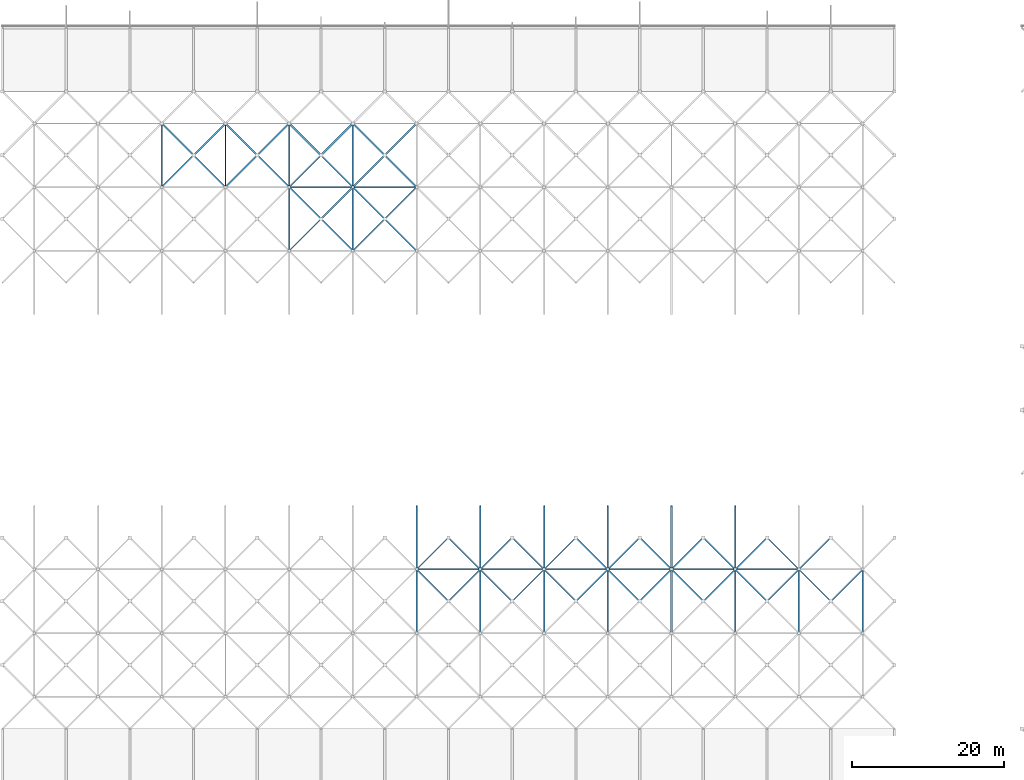
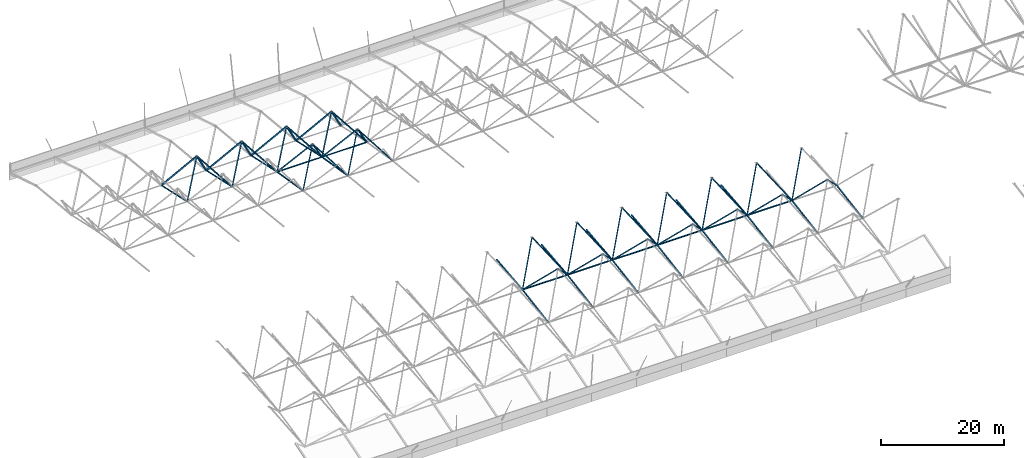
# One storey, part 20 of 85: 79 members.
"""IFC4 building model written with IfcOpenShell, lengths in metres."""

import ifcopenshell
import ifcopenshell.guid

model = None  # the IFC model being written
_history = None  # IfcOwnerHistory: only IFC2X3 demands one
_inside = {}  # id of a spatial element -> (the spatial element, [elements in it])
_under = {}  # id of a project, library or spatial element -> (it, [spatial elements below it])
_declared = {}  # id of a project -> (the project, [libraries it declares])
_typed = {}  # id of a type object -> (the type object, [elements of that type])
_made_of = {}  # id of a material, layer set ... -> (it, [elements and type objects made of it])


def new_model(schema):
    """Start an empty IFC model of exactly this schema.

    Asked for "IFC4X3", IfcOpenShell would pick the latest addendum, in which some entities
    have other attributes; the version numbers below select the first issue.
    IFC2X3 requires an IfcOwnerHistory on every rooted entity: one is made here for all.
    """
    global model, _history
    if schema == "IFC4X3":
        model = ifcopenshell.file(schema_version=(4, 3, 0, 0))
    else:
        model = ifcopenshell.file(schema=schema)
    _inside.clear()
    _under.clear()
    _declared.clear()
    _typed.clear()
    _made_of.clear()
    _history = None
    if model.schema == "IFC2X3":
        org = make("IfcOrganization", Name="unknown")
        user = make(
            "IfcPersonAndOrganization",
            ThePerson=make("IfcPerson", FamilyName="unknown"),
            TheOrganization=org,
        )
        app = make(
            "IfcApplication",
            ApplicationDeveloper=org,
            Version="unknown",
            ApplicationFullName="unknown",
            ApplicationIdentifier="unknown",
        )
        _history = make(
            "IfcOwnerHistory",
            OwningUser=user,
            OwningApplication=app,
            ChangeAction="ADDED",
            CreationDate=0,
        )
    return model


def make(cls, **values):
    """One entity of the class cls with the attributes given. An attribute that is None is left unset."""
    return model.create_entity(
        cls, **{name: value for name, value in values.items() if value is not None}
    )


def rooted(cls, **values):
    """An entity with a GlobalId (a new one), such as an element, a storey or a relation."""
    return make(cls, GlobalId=ifcopenshell.guid.new(), OwnerHistory=_history, **values)


def si_unit(unit_type, name, prefix=None):
    """IfcSIUnit, for example si_unit("LENGTHUNIT", "METRE", prefix="MILLI")."""
    return make("IfcSIUnit", UnitType=unit_type, Prefix=prefix, Name=name)


def assignment(units):
    """IfcUnitAssignment: the units of a project."""
    return None if units is None else make("IfcUnitAssignment", Units=units)


def point(xyz):
    """IfcCartesianPoint."""
    return None if xyz is None else make("IfcCartesianPoint", Coordinates=xyz)


def direction(xyz):
    """IfcDirection."""
    return None if xyz is None else make("IfcDirection", DirectionRatios=xyz)


def frame(location, z_axis=None, x_axis=None):
    """IfcAxis2Placement3D, a coordinate frame: its origin and axes. An axis left out is left unset."""
    return make(
        "IfcAxis2Placement3D",
        Location=point(location),
        Axis=direction(z_axis),
        RefDirection=direction(x_axis),
    )


def frame_2d(location, x_axis=None):
    """IfcAxis2Placement2D, a coordinate frame in the plane: its origin and x axis."""
    return make(
        "IfcAxis2Placement2D", Location=point(location), RefDirection=direction(x_axis)
    )


def origin():
    """The frame at (0, 0, 0) with its axes left unset."""
    return frame((0.0, 0.0, 0.0))


def origin_2d():
    """The frame at (0, 0) in the plane with its x axis left unset."""
    return frame_2d((0.0, 0.0))


def place(relative_to, where):
    """IfcLocalPlacement: puts the frame where relative to a parent placement (None: the world)."""
    return make(
        "IfcLocalPlacement", PlacementRelTo=relative_to, RelativePlacement=where
    )


def context(
    kind, dimensions, precision=None, world=None, true_north=None, identifier=None
):
    """IfcGeometricRepresentationContext, for example the 3D "Model" context."""
    return make(
        "IfcGeometricRepresentationContext",
        ContextIdentifier=identifier,
        ContextType=kind,
        CoordinateSpaceDimension=dimensions,
        Precision=precision,
        WorldCoordinateSystem=world,
        TrueNorth=true_north,
    )


def subcontext(parent, identifier, kind, view, scale=None):
    """IfcGeometricRepresentationSubContext, for example "Body" below "Model"."""
    return make(
        "IfcGeometricRepresentationSubContext",
        ContextIdentifier=identifier,
        ContextType=kind,
        ParentContext=parent,
        TargetScale=scale,
        TargetView=view,
    )


def project(units=None, contexts=None):
    """IfcProject with its units and contexts."""
    return rooted(
        "IfcProject",
        Name="project",
        RepresentationContexts=contexts,
        UnitsInContext=assignment(units),
    )


def spatial(cls, under=None, at=None, **own):
    """A site, building, storey or space (cls), placed at a placement, below another one or the project."""
    s = rooted(cls, ObjectPlacement=at, **own)
    if under is not None:
        _under.setdefault(under.id(), (under, []))[1].append(s)
    return s


def profile(cls, at=None, kind="AREA", **sizes):
    """A parametric profile (cls). Its sizes go by their IFC names, for example OverallWidth=200.0."""
    return make(cls, ProfileType=kind, Position=at, **sizes)


def hollow_rectangle(**sizes):
    """IfcRectangleHollowProfileDef."""
    return profile("IfcRectangleHollowProfileDef", **sizes)


def extrude(swept, where, along, depth):
    """IfcExtrudedAreaSolid: the profile swept, set in the frame where, extruded along a direction by depth."""
    return make(
        "IfcExtrudedAreaSolid",
        SweptArea=swept,
        Position=where,
        ExtrudedDirection=direction(along),
        Depth=depth,
    )


def shape(context_of_items, identifier, shape_type, items):
    """IfcShapeRepresentation: the items that make up one representation, for example the "Body"."""
    return make(
        "IfcShapeRepresentation",
        ContextOfItems=context_of_items,
        RepresentationIdentifier=identifier,
        RepresentationType=shape_type,
        Items=items,
    )


def material(Name=None, Category=None):
    """IfcMaterial."""
    return make("IfcMaterial", Name=Name, Category=Category)


def material_profile(
    of_material, cross_section, Name=None, Category=None, Priority=None
):
    """IfcMaterialProfile: a cross section and its material."""
    return make(
        "IfcMaterialProfile",
        Name=Name,
        Material=of_material,
        Profile=cross_section,
        Priority=Priority,
        Category=Category,
    )


def profile_set(profiles, Name=None, composite=None):
    """IfcMaterialProfileSet."""
    return make(
        "IfcMaterialProfileSet",
        Name=Name,
        MaterialProfiles=profiles,
        CompositeProfile=composite,
    )


def made_of(thing, what):
    """Note that an element or type object is made of a material, layer set ...; save() writes the relation."""
    if what is not None:
        _made_of.setdefault(what.id(), (what, []))[1].append(thing)
    return thing


def type_object(cls, material=None, **own):
    """A type object (cls), such as IfcWallType, which elements share."""
    return made_of(rooted(cls, **own), material)


def element(
    cls,
    number,
    at=None,
    inside=None,
    cuts=None,
    type_object=None,
    material=None,
    context=None,
    identifier="Body",
    shape_type=None,
    held_by="IfcProductDefinitionShape",
    body=None,
    shapes=None,
    **own,
):
    """One element of the class cls, such as IfcWall. Its Tag is "e" and its number.

    at: its placement. inside: the storey or other place that contains it. cuts: it is an
    opening in that element (IfcRelVoidsElement). A single representation is given by context,
    identifier, shape_type and body (its items); several are given by shapes. held_by: the class
    of the entity that holds the representations. save() writes the other relations.
    """
    e = rooted(cls, Tag="e%d" % number, ObjectPlacement=at, **own)
    if body is not None:
        shapes = [shape(context, identifier, shape_type, body)]
    if shapes is not None:
        e.Representation = make(held_by, Representations=shapes)
    if inside is not None:
        _inside.setdefault(inside.id(), (inside, []))[1].append(e)
    if cuts is not None:
        rooted(
            "IfcRelVoidsElement", RelatingBuildingElement=cuts, RelatedOpeningElement=e
        )
    if type_object is not None:
        _typed.setdefault(type_object.id(), (type_object, []))[1].append(e)
    return made_of(e, material)


def aggregate(whole, parts):
    """IfcRelAggregates: a whole, such as a stair, and the parts it consists of."""
    return rooted("IfcRelAggregates", RelatingObject=whole, RelatedObjects=parts)


def save(model, path):
    """Write the relations noted so far, then the file.

    IfcRelAggregates (storeys below a building ...), IfcRelContainedInSpatialStructure (elements
    in a storey), IfcRelDefinesByType, IfcRelAssociatesMaterial and IfcRelDeclares: one each for
    every whole, place, type object, material and project.
    """
    for whole, parts in _under.values():
        aggregate(whole, parts)
    for where, things in _inside.values():
        rooted(
            "IfcRelContainedInSpatialStructure",
            RelatedElements=things,
            RelatingStructure=where,
        )
    for kind, things in _typed.values():
        rooted("IfcRelDefinesByType", RelatedObjects=things, RelatingType=kind)
    for what, things in _made_of.values():
        rooted("IfcRelAssociatesMaterial", RelatedObjects=things, RelatingMaterial=what)
    for by, libraries in _declared.values():
        rooted("IfcRelDeclares", RelatingContext=by, RelatedDefinitions=libraries)
    model.write(path)


model = new_model("IFC4")

# Units and contexts
model_context = context("Model", 3, precision=1e-05, world=origin(), true_north=direction((0.0, 1.0)))
body_context = subcontext(model_context, "Body", "Model", "MODEL_VIEW")
ifc_project = project(units=[si_unit("LENGTHUNIT", "METRE"), si_unit("AREAUNIT", "SQUARE_METRE"), si_unit("VOLUMEUNIT", "CUBIC_METRE"), si_unit("PLANEANGLEUNIT", "RADIAN"), si_unit("MASSUNIT", "GRAM", prefix="KILO")], contexts=[model_context])

# Site, building, storey
site_placement = place(None, origin())
site = spatial("IfcSite", under=ifc_project, at=site_placement, CompositionType="ELEMENT")
building_placement = place(site_placement, origin())
building = spatial("IfcBuilding", under=site, at=building_placement, Name="Rain Tree Exposition and Congress Centre", CompositionType="ELEMENT")
storey_placement = place(building_placement, frame((0.0, 0.0, 15.0)))
storey = spatial("IfcBuildingStorey", under=building, at=storey_placement, Name="L03", CompositionType="ELEMENT", Elevation=15.0)

# Members
ifc_material_1 = material(Name="Steel S355J2H", Category="steel")
ifc_material_profile_1 = material_profile(ifc_material_1, hollow_rectangle(XDim=0.175048828125, YDim=0.175048828125, WallThickness=0.006103515625, at=origin_2d()), Name="RHS 175x175x6")
ifc_profile_set_1 = profile_set([ifc_material_profile_1], Name="Steel S355J2H")
member_type_1 = type_object("IfcMemberType", Name="Steel brace member RHS 175x175x6", PredefinedType="BRACE", material=ifc_profile_set_1)
member_1_placement = place(storey_placement, frame((63.0, 130.199951171875, 3.974609375), z_axis=(0.531205549126, -0.531205549126, 0.660031309223), x_axis=(0.707106781187, 0.707106781187, 0.0)))
element("IfcMember", 1, at=member_1_placement, inside=storey, type_object=member_type_1, Name="Diagonal 649", PredefinedType="BRACE", context=body_context, shape_type="SweptSolid", body=[
    extrude(hollow_rectangle(XDim=0.175048828125, YDim=0.175048828125, WallThickness=0.006103515625, at=origin_2d()), origin(), (0.0, 0.0, 1.0), 7.906494140625),
])
member_2_placement = place(storey_placement, frame((63.0, 130.199951171875, 3.974609375), z_axis=(0.48244694752, 0.48244694752, 0.73108815177), x_axis=(-0.707106781187, 0.707106781187, 0.0)))
element("IfcMember", 2, at=member_2_placement, inside=storey, type_object=member_type_1, Name="Diagonal 651", PredefinedType="BRACE", context=body_context, shape_type="SweptSolid", body=[
    extrude(hollow_rectangle(XDim=0.175048828125, YDim=0.175048828125, WallThickness=0.006103515625, at=origin_2d()), origin(), (0.0, 0.0, 1.0), 8.70556640625),
])
for number, where, z_axis, x_axis, name in (
    (3, (71.39990234375, 130.199951171875, 3.974609375), (-0.531205549126, -0.531205549126, 0.660031309223), (0.707106781187, -0.707106781187, 0.0), "Diagonal 654"),
    (4, (71.39990234375, 130.199951171875, 3.974609375), (0.531227713919, -0.531196835768, 0.660020482738), (0.70708622964, 0.707127332136, 0.0), "Diagonal 655"),
):
    element("IfcMember", number, at=place(storey_placement, frame(where, z_axis=z_axis, x_axis=x_axis)), inside=storey, type_object=member_type_1, Name=name, PredefinedType="BRACE", context=body_context, shape_type="SweptSolid", body=[
        extrude(hollow_rectangle(XDim=0.175048828125, YDim=0.175048828125, WallThickness=0.006103515625, at=origin_2d()), origin(), (0.0, 0.0, 1.0), 7.906494140625),
    ])
for number, where, z_axis, x_axis, name in (
    (5, (71.39990234375, 130.199951171875, 3.974609375), (-0.48244694752, 0.48244694752, 0.73108815177), (-0.707106781187, -0.707106781187, 0.0), "Diagonal 656"),
    (6, (71.39990234375, 130.199951171875, 3.974609375), (0.482468463969, 0.482440419998, 0.731078260125), (-0.70708622964, 0.707127332136, 0.0), "Diagonal 657"),
):
    element("IfcMember", number, at=place(storey_placement, frame(where, z_axis=z_axis, x_axis=x_axis)), inside=storey, type_object=member_type_1, Name=name, PredefinedType="BRACE", context=body_context, shape_type="SweptSolid", body=[
        extrude(hollow_rectangle(XDim=0.175048828125, YDim=0.175048828125, WallThickness=0.006103515625, at=origin_2d()), origin(), (0.0, 0.0, 1.0), 8.70556640625),
    ])
for number, where, z_axis, x_axis, name in (
    (7, (79.800048828125, 130.199951171875, 3.974609375), (-0.531205549126, -0.531205549126, 0.660031309223), (0.707106781187, -0.707106781187, 0.0), "Diagonal 660"),
    (8, (79.800048828125, 130.199951171875, 3.974609375), (0.531205549126, -0.531205549126, 0.660031309223), (0.707106781187, 0.707106781187, 0.0), "Diagonal 661"),
):
    element("IfcMember", number, at=place(storey_placement, frame(where, z_axis=z_axis, x_axis=x_axis)), inside=storey, type_object=member_type_1, Name=name, PredefinedType="BRACE", context=body_context, shape_type="SweptSolid", body=[
        extrude(hollow_rectangle(XDim=0.175048828125, YDim=0.175048828125, WallThickness=0.006103515625, at=origin_2d()), origin(), (0.0, 0.0, 1.0), 7.906494140625),
    ])
for number, where, z_axis, x_axis, name in (
    (9, (79.800048828125, 130.199951171875, 3.974609375), (-0.48244694752, 0.48244694752, 0.73108815177), (-0.707106781187, -0.707106781187, 0.0), "Diagonal 662"),
    (10, (79.800048828125, 130.199951171875, 3.974609375), (0.48244694752, 0.48244694752, 0.73108815177), (-0.707106781187, 0.707106781187, 0.0), "Diagonal 663"),
):
    element("IfcMember", number, at=place(storey_placement, frame(where, z_axis=z_axis, x_axis=x_axis)), inside=storey, type_object=member_type_1, Name=name, PredefinedType="BRACE", context=body_context, shape_type="SweptSolid", body=[
        extrude(hollow_rectangle(XDim=0.175048828125, YDim=0.175048828125, WallThickness=0.006103515625, at=origin_2d()), origin(), (0.0, 0.0, 1.0), 8.70556640625),
    ])
for number, where, z_axis, x_axis, name in (
    (11, (88.199951171875, 130.199951171875, 3.974609375), (-0.531205549126, -0.531205549126, 0.660031309223), (0.707106781187, -0.707106781187, 0.0), "Diagonal 666"),
    (12, (88.199951171875, 130.199951171875, 3.974609375), (0.531205549126, -0.531205549126, 0.660031309223), (0.707106781187, 0.707106781187, 0.0), "Diagonal 667"),
):
    element("IfcMember", number, at=place(storey_placement, frame(where, z_axis=z_axis, x_axis=x_axis)), inside=storey, type_object=member_type_1, Name=name, PredefinedType="BRACE", context=body_context, shape_type="SweptSolid", body=[
        extrude(hollow_rectangle(XDim=0.175048828125, YDim=0.175048828125, WallThickness=0.006103515625, at=origin_2d()), origin(), (0.0, 0.0, 1.0), 7.906494140625),
    ])
for number, where, z_axis, x_axis, name in (
    (13, (88.199951171875, 130.199951171875, 3.974609375), (-0.48244694752, 0.48244694752, 0.73108815177), (-0.707106781187, -0.707106781187, 0.0), "Diagonal 668"),
    (14, (88.199951171875, 130.199951171875, 3.974609375), (0.48244694752, 0.48244694752, 0.73108815177), (-0.707106781187, 0.707106781187, 0.0), "Diagonal 669"),
):
    element("IfcMember", number, at=place(storey_placement, frame(where, z_axis=z_axis, x_axis=x_axis)), inside=storey, type_object=member_type_1, Name=name, PredefinedType="BRACE", context=body_context, shape_type="SweptSolid", body=[
        extrude(hollow_rectangle(XDim=0.175048828125, YDim=0.175048828125, WallThickness=0.006103515625, at=origin_2d()), origin(), (0.0, 0.0, 1.0), 8.70556640625),
    ])
for number, where, z_axis, x_axis, name in (
    (15, (96.60009765625, 130.199951171875, 3.974609375), (-0.531227713919, -0.531196835768, 0.660020482738), (0.70708622964, -0.707127332136, 0.0), "Diagonal 672"),
    (16, (96.60009765625, 130.199951171875, 3.974609375), (0.531205549126, -0.531205549126, 0.660031309223), (0.707106781187, 0.707106781187, 0.0), "Diagonal 673"),
):
    element("IfcMember", number, at=place(storey_placement, frame(where, z_axis=z_axis, x_axis=x_axis)), inside=storey, type_object=member_type_1, Name=name, PredefinedType="BRACE", context=body_context, shape_type="SweptSolid", body=[
        extrude(hollow_rectangle(XDim=0.175048828125, YDim=0.175048828125, WallThickness=0.006103515625, at=origin_2d()), origin(), (0.0, 0.0, 1.0), 7.906494140625),
    ])
for number, where, z_axis, x_axis, name in (
    (17, (96.60009765625, 130.199951171875, 3.974609375), (-0.482468463969, 0.482440419998, 0.731078260125), (-0.70708622964, -0.707127332136, 0.0), "Diagonal 674"),
    (18, (96.60009765625, 130.199951171875, 3.974609375), (0.48244694752, 0.48244694752, 0.73108815177), (-0.707106781187, 0.707106781187, 0.0), "Diagonal 675"),
):
    element("IfcMember", number, at=place(storey_placement, frame(where, z_axis=z_axis, x_axis=x_axis)), inside=storey, type_object=member_type_1, Name=name, PredefinedType="BRACE", context=body_context, shape_type="SweptSolid", body=[
        extrude(hollow_rectangle(XDim=0.175048828125, YDim=0.175048828125, WallThickness=0.006103515625, at=origin_2d()), origin(), (0.0, 0.0, 1.0), 8.70556640625),
    ])
for number, where, z_axis, x_axis, name in (
    (19, (105.0, 130.199951171875, 3.974609375), (-0.531205549126, -0.531205549126, 0.660031309223), (0.707106781187, -0.707106781187, 0.0), "Diagonal 678"),
    (20, (105.0, 130.199951171875, 3.974609375), (0.531205549126, -0.531205549126, 0.660031309223), (0.707106781187, 0.707106781187, 0.0), "Diagonal 679"),
):
    element("IfcMember", number, at=place(storey_placement, frame(where, z_axis=z_axis, x_axis=x_axis)), inside=storey, type_object=member_type_1, Name=name, PredefinedType="BRACE", context=body_context, shape_type="SweptSolid", body=[
        extrude(hollow_rectangle(XDim=0.175048828125, YDim=0.175048828125, WallThickness=0.006103515625, at=origin_2d()), origin(), (0.0, 0.0, 1.0), 7.906494140625),
    ])
for number, where, z_axis, x_axis, name in (
    (21, (105.0, 130.199951171875, 3.974609375), (-0.48244694752, 0.48244694752, 0.73108815177), (-0.707106781187, -0.707106781187, 0.0), "Diagonal 680"),
    (22, (105.0, 130.199951171875, 3.974609375), (0.48244694752, 0.48244694752, 0.73108815177), (-0.707106781187, 0.707106781187, 0.0), "Diagonal 681"),
):
    element("IfcMember", number, at=place(storey_placement, frame(where, z_axis=z_axis, x_axis=x_axis)), inside=storey, type_object=member_type_1, Name=name, PredefinedType="BRACE", context=body_context, shape_type="SweptSolid", body=[
        extrude(hollow_rectangle(XDim=0.175048828125, YDim=0.175048828125, WallThickness=0.006103515625, at=origin_2d()), origin(), (0.0, 0.0, 1.0), 8.70556640625),
    ])
for number, where, z_axis, x_axis, name in (
    (23, (113.39990234375, 130.199951171875, 3.974609375), (-0.531205549126, -0.531205549126, 0.660031309223), (0.707106781187, -0.707106781187, 0.0), "Diagonal 684"),
    (24, (113.39990234375, 130.199951171875, 3.974609375), (0.531227713919, -0.531196835768, 0.660020482738), (0.70708622964, 0.707127332136, 0.0), "Diagonal 685"),
):
    element("IfcMember", number, at=place(storey_placement, frame(where, z_axis=z_axis, x_axis=x_axis)), inside=storey, type_object=member_type_1, Name=name, PredefinedType="BRACE", context=body_context, shape_type="SweptSolid", body=[
        extrude(hollow_rectangle(XDim=0.175048828125, YDim=0.175048828125, WallThickness=0.006103515625, at=origin_2d()), origin(), (0.0, 0.0, 1.0), 7.906494140625),
    ])
for number, where, z_axis, x_axis, name in (
    (25, (113.39990234375, 130.199951171875, 3.974609375), (-0.48244694752, 0.48244694752, 0.73108815177), (-0.707106781187, -0.707106781187, 0.0), "Diagonal 686"),
    (26, (113.39990234375, 130.199951171875, 3.974609375), (0.482468463969, 0.482440419998, 0.731078260125), (-0.70708622964, 0.707127332136, 0.0), "Diagonal 687"),
):
    element("IfcMember", number, at=place(storey_placement, frame(where, z_axis=z_axis, x_axis=x_axis)), inside=storey, type_object=member_type_1, Name=name, PredefinedType="BRACE", context=body_context, shape_type="SweptSolid", body=[
        extrude(hollow_rectangle(XDim=0.175048828125, YDim=0.175048828125, WallThickness=0.006103515625, at=origin_2d()), origin(), (0.0, 0.0, 1.0), 8.70556640625),
    ])
for number, where, z_axis, x_axis, name in (
    (27, (121.800048828125, 130.199951171875, 3.974609375), (-0.531205549126, -0.531205549126, 0.660031309223), (0.707106781187, -0.707106781187, 0.0), "Diagonal 690"),
    (28, (46.199951171875, 172.199951171875, 3.974609375), (0.531205549126, 0.531205549126, 0.660031309223), (-0.707106781187, 0.707106781187, 0.0), "Diagonal 1054"),
    (29, (54.60009765625, 172.199951171875, 3.974609375), (-0.531227713919, 0.531196835768, 0.660020482738), (-0.70708622964, -0.707127332136, 0.0), "Diagonal 1059"),
    (30, (54.60009765625, 172.199951171875, 3.974609375), (0.531205549126, 0.531205549126, 0.660031309223), (-0.707106781187, 0.707106781187, 0.0), "Diagonal 1060"),
    (31, (63.0, 172.199951171875, 3.974609375), (-0.531205549126, 0.531205549126, 0.660031309223), (-0.707106781187, -0.707106781187, 0.0), "Diagonal 1065"),
):
    element("IfcMember", number, at=place(storey_placement, frame(where, z_axis=z_axis, x_axis=x_axis)), inside=storey, type_object=member_type_1, Name=name, PredefinedType="BRACE", context=body_context, shape_type="SweptSolid", body=[
        extrude(hollow_rectangle(XDim=0.175048828125, YDim=0.175048828125, WallThickness=0.006103515625, at=origin_2d()), origin(), (0.0, 0.0, 1.0), 7.906494140625),
    ])
ifc_material_2 = material(Name="Steel S355J2H", Category="steel")
ifc_material_profile_2 = material_profile(ifc_material_2, hollow_rectangle(XDim=0.199951171875, YDim=0.199951171875, WallThickness=0.009033203125, at=origin_2d()), Name="RHS 200x200x9")
ifc_profile_set_2 = profile_set([ifc_material_profile_2], Name="Steel S355J2H")
member_type_2 = type_object("IfcMemberType", Name="Steel brace member RHS 200x200x9", PredefinedType="BRACE", material=ifc_profile_set_2)
member_3_placement = place(storey_placement, frame((29.39990234375, 180.60009765625, 2.593505859375), z_axis=(0.541842377579, 0.54181088244, 0.642532338119), x_axis=(-0.70708622964, 0.707127332136, 0.0)))
element("IfcMember", 32, at=member_3_placement, inside=storey, type_object=member_type_2, Name="Diagonal 1125", PredefinedType="BRACE", context=body_context, shape_type="SweptSolid", body=[
    extrude(hollow_rectangle(XDim=0.199951171875, YDim=0.199951171875, WallThickness=0.009033203125, at=origin_2d()), origin(), (0.0, 0.0, 1.0), 7.751708984375),
])
for number, where, z_axis, x_axis, name in (
    (33, (37.800048828125, 180.60009765625, 2.593505859375), (-0.541820128628, 0.541820128628, 0.642543303153), (-0.707106781187, -0.707106781187, 0.0), "Diagonal 1130"),
    (34, (37.800048828125, 180.60009765625, 2.593505859375), (0.541820128628, 0.541820128628, 0.642543303153), (-0.707106781187, 0.707106781187, 0.0), "Diagonal 1131"),
):
    element("IfcMember", number, at=place(storey_placement, frame(where, z_axis=z_axis, x_axis=x_axis)), inside=storey, type_object=member_type_2, Name=name, PredefinedType="BRACE", context=body_context, shape_type="SweptSolid", body=[
        extrude(hollow_rectangle(XDim=0.199951171875, YDim=0.199951171875, WallThickness=0.009033203125, at=origin_2d()), origin(), (0.0, 0.0, 1.0), 7.75146484375),
    ])
member_4_placement = place(storey_placement, frame((46.199951171875, 180.60009765625, 2.593505859375), z_axis=(0.473022442189, -0.473049938698, 0.743285627928), x_axis=(0.707127332136, 0.70708622964, 0.0)))
element("IfcMember", 35, at=member_4_placement, inside=storey, type_object=member_type_2, Name="Diagonal 1135", PredefinedType="BRACE", context=body_context, shape_type="SweptSolid", body=[
    extrude(hollow_rectangle(XDim=0.199951171875, YDim=0.199951171875, WallThickness=0.009033203125, at=origin_2d()), origin(), (0.0, 0.0, 1.0), 8.87890625),
])
for number, where, z_axis, x_axis, name in (
    (36, (46.199951171875, 180.60009765625, 2.593505859375), (-0.541820128628, 0.541820128628, 0.642543303153), (-0.707106781187, -0.707106781187, 0.0), "Diagonal 1136"),
    (37, (46.199951171875, 180.60009765625, 2.593505859375), (0.541820128628, 0.541820128628, 0.642543303153), (-0.707106781187, 0.707106781187, 0.0), "Diagonal 1137"),
):
    element("IfcMember", number, at=place(storey_placement, frame(where, z_axis=z_axis, x_axis=x_axis)), inside=storey, type_object=member_type_2, Name=name, PredefinedType="BRACE", context=body_context, shape_type="SweptSolid", body=[
        extrude(hollow_rectangle(XDim=0.199951171875, YDim=0.199951171875, WallThickness=0.009033203125, at=origin_2d()), origin(), (0.0, 0.0, 1.0), 7.75146484375),
    ])
member_5_placement = place(storey_placement, frame((54.60009765625, 180.60009765625, 2.593505859375), z_axis=(-0.473043785931, -0.473043785931, 0.743275960316), x_axis=(0.707106781187, -0.707106781187, 0.0)))
element("IfcMember", 38, at=member_5_placement, inside=storey, type_object=member_type_2, Name="Diagonal 1140", PredefinedType="BRACE", context=body_context, shape_type="SweptSolid", body=[
    extrude(hollow_rectangle(XDim=0.199951171875, YDim=0.199951171875, WallThickness=0.009033203125, at=origin_2d()), origin(), (0.0, 0.0, 1.0), 8.879150390625),
])
member_6_placement = place(storey_placement, frame((54.60009765625, 180.60009765625, 2.593505859375), z_axis=(0.473022442189, -0.473049938698, 0.743285627928), x_axis=(0.707127332136, 0.70708622964, 0.0)))
element("IfcMember", 39, at=member_6_placement, inside=storey, type_object=member_type_2, Name="Diagonal 1141", PredefinedType="BRACE", context=body_context, shape_type="SweptSolid", body=[
    extrude(hollow_rectangle(XDim=0.199951171875, YDim=0.199951171875, WallThickness=0.009033203125, at=origin_2d()), origin(), (0.0, 0.0, 1.0), 8.87890625),
])
member_7_placement = place(storey_placement, frame((54.60009765625, 180.60009765625, 2.593505859375), z_axis=(-0.541842377579, 0.54181088244, 0.642532338119), x_axis=(-0.70708622964, -0.707127332136, 0.0)))
element("IfcMember", 40, at=member_7_placement, inside=storey, type_object=member_type_2, Name="Diagonal 1142", PredefinedType="BRACE", context=body_context, shape_type="SweptSolid", body=[
    extrude(hollow_rectangle(XDim=0.199951171875, YDim=0.199951171875, WallThickness=0.009033203125, at=origin_2d()), origin(), (0.0, 0.0, 1.0), 7.751708984375),
])
member_8_placement = place(storey_placement, frame((54.60009765625, 180.60009765625, 2.593505859375), z_axis=(0.541820128628, 0.541820128628, 0.642543303153), x_axis=(-0.707106781187, 0.707106781187, 0.0)))
element("IfcMember", 41, at=member_8_placement, inside=storey, type_object=member_type_2, Name="Diagonal 1143", PredefinedType="BRACE", context=body_context, shape_type="SweptSolid", body=[
    extrude(hollow_rectangle(XDim=0.199951171875, YDim=0.199951171875, WallThickness=0.009033203125, at=origin_2d()), origin(), (0.0, 0.0, 1.0), 7.75146484375),
])
member_9_placement = place(storey_placement, frame((63.0, 180.60009765625, 2.593505859375), z_axis=(-0.473022442189, -0.473049938698, 0.743285627928), x_axis=(0.707127332136, -0.70708622964, 0.0)))
element("IfcMember", 42, at=member_9_placement, inside=storey, type_object=member_type_2, Name="Diagonal 1146", PredefinedType="BRACE", context=body_context, shape_type="SweptSolid", body=[
    extrude(hollow_rectangle(XDim=0.199951171875, YDim=0.199951171875, WallThickness=0.009033203125, at=origin_2d()), origin(), (0.0, 0.0, 1.0), 8.87890625),
])
member_10_placement = place(storey_placement, frame((63.0, 180.60009765625, 2.593505859375), z_axis=(-0.541820128628, 0.541820128628, 0.642543303153), x_axis=(-0.707106781187, -0.707106781187, 0.0)))
element("IfcMember", 43, at=member_10_placement, inside=storey, type_object=member_type_2, Name="Diagonal 1148", PredefinedType="BRACE", context=body_context, shape_type="SweptSolid", body=[
    extrude(hollow_rectangle(XDim=0.199951171875, YDim=0.199951171875, WallThickness=0.009033203125, at=origin_2d()), origin(), (0.0, 0.0, 1.0), 7.75146484375),
])
ifc_material_3 = material(Name="Steel S355J2H", Category="steel")
ifc_material_profile_3 = material_profile(ifc_material_3, hollow_rectangle(XDim=0.25, YDim=0.25, WallThickness=0.006103515625, at=origin_2d()), Name="RHS 250x250x6")
ifc_profile_set_3 = profile_set([ifc_material_profile_3], Name="Steel S355J2H")
member_type_3 = type_object("IfcMemberType", Name="Steel brace member RHS 250x250x6", PredefinedType="BRACE", material=ifc_profile_set_3)
member_11_placement = place(storey_placement, frame((29.39990234375, 189.0, 0.732666015625), z_axis=(0.463585081915, -0.46355813556, 0.755117690682), x_axis=(0.70708622964, 0.707127332136, 0.0)))
element("IfcMember", 44, at=member_11_placement, inside=storey, type_object=member_type_3, Name="Diagonal 1206", PredefinedType="BRACE", context=body_context, shape_type="SweptSolid", body=[
    extrude(hollow_rectangle(XDim=0.25, YDim=0.25, WallThickness=0.006103515625, at=origin_2d()), origin(), (0.0, 0.0, 1.0), 9.060302734375),
])
for number, where, z_axis, x_axis, name in (
    (45, (37.800048828125, 189.0, 0.732666015625), (-0.463563926235, -0.463563926235, 0.755127123461), (0.707106781187, -0.707106781187, 0.0), "Diagonal 1211"),
    (46, (37.800048828125, 189.0, 0.732666015625), (0.463563926235, -0.463563926235, 0.755127123461), (0.707106781187, 0.707106781187, 0.0), "Diagonal 1212"),
    (47, (46.199951171875, 189.0, 0.732666015625), (-0.463563926235, -0.463563926235, 0.755127123461), (0.707106781187, -0.707106781187, 0.0), "Diagonal 1217"),
    (48, (46.199951171875, 189.0, 0.732666015625), (0.463563926235, -0.463563926235, 0.755127123461), (0.707106781187, 0.707106781187, 0.0), "Diagonal 1218"),
):
    element("IfcMember", number, at=place(storey_placement, frame(where, z_axis=z_axis, x_axis=x_axis)), inside=storey, type_object=member_type_3, Name=name, PredefinedType="BRACE", context=body_context, shape_type="SweptSolid", body=[
        extrude(hollow_rectangle(XDim=0.25, YDim=0.25, WallThickness=0.006103515625, at=origin_2d()), origin(), (0.0, 0.0, 1.0), 9.06005859375),
    ])
member_12_placement = place(storey_placement, frame((54.60009765625, 189.0, 0.732666015625), z_axis=(-0.463585081915, -0.46355813556, 0.755117690682), x_axis=(0.70708622964, -0.707127332136, 0.0)))
element("IfcMember", 49, at=member_12_placement, inside=storey, type_object=member_type_3, Name="Diagonal 1223", PredefinedType="BRACE", context=body_context, shape_type="SweptSolid", body=[
    extrude(hollow_rectangle(XDim=0.25, YDim=0.25, WallThickness=0.006103515625, at=origin_2d()), origin(), (0.0, 0.0, 1.0), 9.060302734375),
])
for number, where, z_axis, x_axis, name in (
    (50, (54.60009765625, 189.0, 0.732666015625), (0.463563926235, -0.463563926235, 0.755127123461), (0.707106781187, 0.707106781187, 0.0), "Diagonal 1224"),
    (51, (63.0, 189.0, 0.732666015625), (-0.463563926235, -0.463563926235, 0.755127123461), (0.707106781187, -0.707106781187, 0.0), "Diagonal 1229"),
):
    element("IfcMember", number, at=place(storey_placement, frame(where, z_axis=z_axis, x_axis=x_axis)), inside=storey, type_object=member_type_3, Name=name, PredefinedType="BRACE", context=body_context, shape_type="SweptSolid", body=[
        extrude(hollow_rectangle(XDim=0.25, YDim=0.25, WallThickness=0.006103515625, at=origin_2d()), origin(), (0.0, 0.0, 1.0), 9.06005859375),
    ])
ifc_material_4 = material(Name="Steel S355J2H", Category="steel")
ifc_material_profile_4 = material_profile(ifc_material_4, hollow_rectangle(XDim=0.175048828125, YDim=0.175048828125, WallThickness=0.006103515625, at=origin_2d()), Name="RHS 175x175x6")
ifc_profile_set_4 = profile_set([ifc_material_profile_4], Name="Steel S355J2H")
member_type_4 = type_object("IfcMemberType", Name="Steel chord member RHS 175x175x6", PredefinedType="CHORD", material=ifc_profile_set_4)
for number, where, z_axis, x_axis, name in (
    (52, (29.39990234375, 180.60009765625, 2.593505859375), (0.0, 0.976329733604, -0.21628742747), (-1.0, 0.0, 0.0), "Bottom chord 1127"),
    (53, (37.800048828125, 180.60009765625, 2.593505859375), (0.0, 0.976329733604, -0.21628742747), (-1.0, 0.0, 0.0), "Bottom chord 1133"),
):
    element("IfcMember", number, at=place(storey_placement, frame(where, z_axis=z_axis, x_axis=x_axis)), inside=storey, type_object=member_type_4, Name=name, PredefinedType="CHORD", context=body_context, shape_type="SweptSolid", body=[
        extrude(hollow_rectangle(XDim=0.175048828125, YDim=0.175048828125, WallThickness=0.006103515625, at=origin_2d()), origin(), (0.0, 0.0, 1.0), 8.603515625),
    ])
member_13_placement = place(storey_placement, frame((46.199951171875, 180.60009765625, 2.593505859375), z_axis=(1.0, 0.0, 0.0), x_axis=(0.0, 1.0, 0.0)))
element("IfcMember", 54, at=member_13_placement, inside=storey, type_object=member_type_4, Name="Bottom chord 1138", PredefinedType="CHORD", context=body_context, shape_type="SweptSolid", body=[
    extrude(hollow_rectangle(XDim=0.175048828125, YDim=0.175048828125, WallThickness=0.006103515625, at=origin_2d()), origin(), (0.0, 0.0, 1.0), 8.400146484375),
])
member_14_placement = place(storey_placement, frame((46.199951171875, 180.60009765625, 2.593505859375), z_axis=(0.0, 0.976329733604, -0.21628742747), x_axis=(-1.0, 0.0, 0.0)))
element("IfcMember", 55, at=member_14_placement, inside=storey, type_object=member_type_4, Name="Bottom chord 1139", PredefinedType="CHORD", context=body_context, shape_type="SweptSolid", body=[
    extrude(hollow_rectangle(XDim=0.175048828125, YDim=0.175048828125, WallThickness=0.006103515625, at=origin_2d()), origin(), (0.0, 0.0, 1.0), 8.603515625),
])
member_15_placement = place(storey_placement, frame((54.60009765625, 180.60009765625, 2.593505859375), z_axis=(1.0, 0.0, 0.0), x_axis=(0.0, 1.0, 0.0)))
element("IfcMember", 56, at=member_15_placement, inside=storey, type_object=member_type_4, Name="Bottom chord 1144", PredefinedType="CHORD", context=body_context, shape_type="SweptSolid", body=[
    extrude(hollow_rectangle(XDim=0.175048828125, YDim=0.175048828125, WallThickness=0.006103515625, at=origin_2d()), origin(), (0.0, 0.0, 1.0), 8.39990234375),
])
member_16_placement = place(storey_placement, frame((54.60009765625, 180.60009765625, 2.593505859375), z_axis=(0.0, 0.976329733604, -0.21628742747), x_axis=(-1.0, 0.0, 0.0)))
element("IfcMember", 57, at=member_16_placement, inside=storey, type_object=member_type_4, Name="Bottom chord 1145", PredefinedType="CHORD", context=body_context, shape_type="SweptSolid", body=[
    extrude(hollow_rectangle(XDim=0.175048828125, YDim=0.175048828125, WallThickness=0.006103515625, at=origin_2d()), origin(), (0.0, 0.0, 1.0), 8.603515625),
])
ifc_material_5 = material(Name="Steel S355J2H", Category="steel")
ifc_material_profile_5 = material_profile(ifc_material_5, hollow_rectangle(XDim=0.199951171875, YDim=0.199951171875, WallThickness=0.009033203125, at=origin_2d()), Name="RHS 200x200x9")
ifc_profile_set_5 = profile_set([ifc_material_profile_5], Name="Steel S355J2H")
member_type_5 = type_object("IfcMemberType", Name="Steel chord member RHS 200x200x9", PredefinedType="CHORD", material=ifc_profile_set_5)
for number, where, z_axis, x_axis, name in (
    (58, (63.0, 121.800048828125, 2.593505859375), (0.0, 0.986751221358, 0.162240645795), (-1.0, 0.0, 0.0), "Bottom chord 570"),
    (59, (71.39990234375, 121.800048828125, 2.593505859375), (0.0, 0.986751221358, 0.162240645795), (-1.0, 0.0, 0.0), "Bottom chord 576"),
    (60, (79.800048828125, 121.800048828125, 2.593505859375), (0.0, 0.986751221358, 0.162240645795), (-1.0, 0.0, 0.0), "Bottom chord 582"),
    (61, (88.199951171875, 121.800048828125, 2.593505859375), (0.0, 0.986751221358, 0.162240645795), (-1.0, 0.0, 0.0), "Bottom chord 588"),
    (62, (96.60009765625, 121.800048828125, 2.593505859375), (0.0, 0.986751221358, 0.162240645795), (-1.0, 0.0, 0.0), "Bottom chord 594"),
    (63, (105.0, 121.800048828125, 2.593505859375), (0.0, 0.986751221358, 0.162240645795), (-1.0, 0.0, 0.0), "Bottom chord 600"),
    (64, (113.39990234375, 121.800048828125, 2.593505859375), (0.0, 0.986751221358, 0.162240645795), (-1.0, 0.0, 0.0), "Bottom chord 606"),
    (65, (121.800048828125, 121.800048828125, 2.593505859375), (0.0, 0.986751221358, 0.162240645795), (-1.0, 0.0, 0.0), "Bottom chord 611"),
):
    element("IfcMember", number, at=place(storey_placement, frame(where, z_axis=z_axis, x_axis=x_axis)), inside=storey, type_object=member_type_5, Name=name, PredefinedType="CHORD", context=body_context, shape_type="SweptSolid", body=[
        extrude(hollow_rectangle(XDim=0.199951171875, YDim=0.199951171875, WallThickness=0.009033203125, at=origin_2d()), origin(), (0.0, 0.0, 1.0), 8.5126953125),
    ])
member_17_placement = place(storey_placement, frame((63.0, 130.199951171875, 3.974609375), z_axis=(1.0, 0.0, 0.0), x_axis=(0.0, 1.0, 0.0)))
element("IfcMember", 66, at=member_17_placement, inside=storey, type_object=member_type_5, Name="Bottom chord 652", PredefinedType="CHORD", context=body_context, shape_type="SweptSolid", body=[
    extrude(hollow_rectangle(XDim=0.199951171875, YDim=0.199951171875, WallThickness=0.009033203125, at=origin_2d()), origin(), (0.0, 0.0, 1.0), 8.39990234375),
])
member_18_placement = place(storey_placement, frame((63.0, 130.199951171875, 3.974609375), z_axis=(0.0, 0.994137916016, 0.108119396685), x_axis=(-1.0, 0.0, 0.0)))
element("IfcMember", 67, at=member_18_placement, inside=storey, type_object=member_type_5, Name="Bottom chord 653", PredefinedType="CHORD", context=body_context, shape_type="SweptSolid", body=[
    extrude(hollow_rectangle(XDim=0.199951171875, YDim=0.199951171875, WallThickness=0.009033203125, at=origin_2d()), origin(), (0.0, 0.0, 1.0), 8.44970703125),
])
member_19_placement = place(storey_placement, frame((71.39990234375, 130.199951171875, 3.974609375), z_axis=(1.0, 0.0, 0.0), x_axis=(0.0, 1.0, 0.0)))
element("IfcMember", 68, at=member_19_placement, inside=storey, type_object=member_type_5, Name="Bottom chord 658", PredefinedType="CHORD", context=body_context, shape_type="SweptSolid", body=[
    extrude(hollow_rectangle(XDim=0.199951171875, YDim=0.199951171875, WallThickness=0.009033203125, at=origin_2d()), origin(), (0.0, 0.0, 1.0), 8.400146484375),
])
member_20_placement = place(storey_placement, frame((71.39990234375, 130.199951171875, 3.974609375), z_axis=(0.0, 0.994137916016, 0.108119396685), x_axis=(-1.0, 0.0, 0.0)))
element("IfcMember", 69, at=member_20_placement, inside=storey, type_object=member_type_5, Name="Bottom chord 659", PredefinedType="CHORD", context=body_context, shape_type="SweptSolid", body=[
    extrude(hollow_rectangle(XDim=0.199951171875, YDim=0.199951171875, WallThickness=0.009033203125, at=origin_2d()), origin(), (0.0, 0.0, 1.0), 8.44970703125),
])
member_21_placement = place(storey_placement, frame((79.800048828125, 130.199951171875, 3.974609375), z_axis=(1.0, 0.0, 0.0), x_axis=(0.0, 1.0, 0.0)))
element("IfcMember", 70, at=member_21_placement, inside=storey, type_object=member_type_5, Name="Bottom chord 664", PredefinedType="CHORD", context=body_context, shape_type="SweptSolid", body=[
    extrude(hollow_rectangle(XDim=0.199951171875, YDim=0.199951171875, WallThickness=0.009033203125, at=origin_2d()), origin(), (0.0, 0.0, 1.0), 8.39990234375),
])
member_22_placement = place(storey_placement, frame((79.800048828125, 130.199951171875, 3.974609375), z_axis=(0.0, 0.994137916016, 0.108119396685), x_axis=(-1.0, 0.0, 0.0)))
element("IfcMember", 71, at=member_22_placement, inside=storey, type_object=member_type_5, Name="Bottom chord 665", PredefinedType="CHORD", context=body_context, shape_type="SweptSolid", body=[
    extrude(hollow_rectangle(XDim=0.199951171875, YDim=0.199951171875, WallThickness=0.009033203125, at=origin_2d()), origin(), (0.0, 0.0, 1.0), 8.44970703125),
])
member_23_placement = place(storey_placement, frame((88.199951171875, 130.199951171875, 3.974609375), z_axis=(1.0, 0.0, 0.0), x_axis=(0.0, 1.0, 0.0)))
element("IfcMember", 72, at=member_23_placement, inside=storey, type_object=member_type_5, Name="Bottom chord 670", PredefinedType="CHORD", context=body_context, shape_type="SweptSolid", body=[
    extrude(hollow_rectangle(XDim=0.199951171875, YDim=0.199951171875, WallThickness=0.009033203125, at=origin_2d()), origin(), (0.0, 0.0, 1.0), 8.400146484375),
])
member_24_placement = place(storey_placement, frame((88.199951171875, 130.199951171875, 3.974609375), z_axis=(0.0, 0.994137916016, 0.108119396685), x_axis=(-1.0, 0.0, 0.0)))
element("IfcMember", 73, at=member_24_placement, inside=storey, type_object=member_type_5, Name="Bottom chord 671", PredefinedType="CHORD", context=body_context, shape_type="SweptSolid", body=[
    extrude(hollow_rectangle(XDim=0.199951171875, YDim=0.199951171875, WallThickness=0.009033203125, at=origin_2d()), origin(), (0.0, 0.0, 1.0), 8.44970703125),
])
member_25_placement = place(storey_placement, frame((96.60009765625, 130.199951171875, 3.974609375), z_axis=(1.0, 0.0, 0.0), x_axis=(0.0, 1.0, 0.0)))
element("IfcMember", 74, at=member_25_placement, inside=storey, type_object=member_type_5, Name="Bottom chord 676", PredefinedType="CHORD", context=body_context, shape_type="SweptSolid", body=[
    extrude(hollow_rectangle(XDim=0.199951171875, YDim=0.199951171875, WallThickness=0.009033203125, at=origin_2d()), origin(), (0.0, 0.0, 1.0), 8.39990234375),
])
member_26_placement = place(storey_placement, frame((96.60009765625, 130.199951171875, 3.974609375), z_axis=(0.0, 0.994137916016, 0.108119396685), x_axis=(-1.0, 0.0, 0.0)))
element("IfcMember", 75, at=member_26_placement, inside=storey, type_object=member_type_5, Name="Bottom chord 677", PredefinedType="CHORD", context=body_context, shape_type="SweptSolid", body=[
    extrude(hollow_rectangle(XDim=0.199951171875, YDim=0.199951171875, WallThickness=0.009033203125, at=origin_2d()), origin(), (0.0, 0.0, 1.0), 8.44970703125),
])
member_27_placement = place(storey_placement, frame((105.0, 130.199951171875, 3.974609375), z_axis=(1.0, 0.0, 0.0), x_axis=(0.0, 1.0, 0.0)))
element("IfcMember", 76, at=member_27_placement, inside=storey, type_object=member_type_5, Name="Bottom chord 682", PredefinedType="CHORD", context=body_context, shape_type="SweptSolid", body=[
    extrude(hollow_rectangle(XDim=0.199951171875, YDim=0.199951171875, WallThickness=0.009033203125, at=origin_2d()), origin(), (0.0, 0.0, 1.0), 8.39990234375),
])
member_28_placement = place(storey_placement, frame((105.0, 130.199951171875, 3.974609375), z_axis=(0.0, 0.994137916016, 0.108119396685), x_axis=(-1.0, 0.0, 0.0)))
element("IfcMember", 77, at=member_28_placement, inside=storey, type_object=member_type_5, Name="Bottom chord 683", PredefinedType="CHORD", context=body_context, shape_type="SweptSolid", body=[
    extrude(hollow_rectangle(XDim=0.199951171875, YDim=0.199951171875, WallThickness=0.009033203125, at=origin_2d()), origin(), (0.0, 0.0, 1.0), 8.44970703125),
])
for number, where, z_axis, x_axis, name in (
    (78, (46.199951171875, 172.199951171875, 3.974609375), (0.0, 0.986751976232, -0.162236054569), (-1.0, 0.0, 0.0), "Bottom chord 1056"),
    (79, (54.60009765625, 172.199951171875, 3.974609375), (0.0, 0.986751976232, -0.162236054569), (-1.0, 0.0, 0.0), "Bottom chord 1062"),
):
    element("IfcMember", number, at=place(storey_placement, frame(where, z_axis=z_axis, x_axis=x_axis)), inside=storey, type_object=member_type_5, Name=name, PredefinedType="CHORD", context=body_context, shape_type="SweptSolid", body=[
        extrude(hollow_rectangle(XDim=0.199951171875, YDim=0.199951171875, WallThickness=0.009033203125, at=origin_2d()), origin(), (0.0, 0.0, 1.0), 8.512939453125),
    ])

save(model, "model.ifc")
